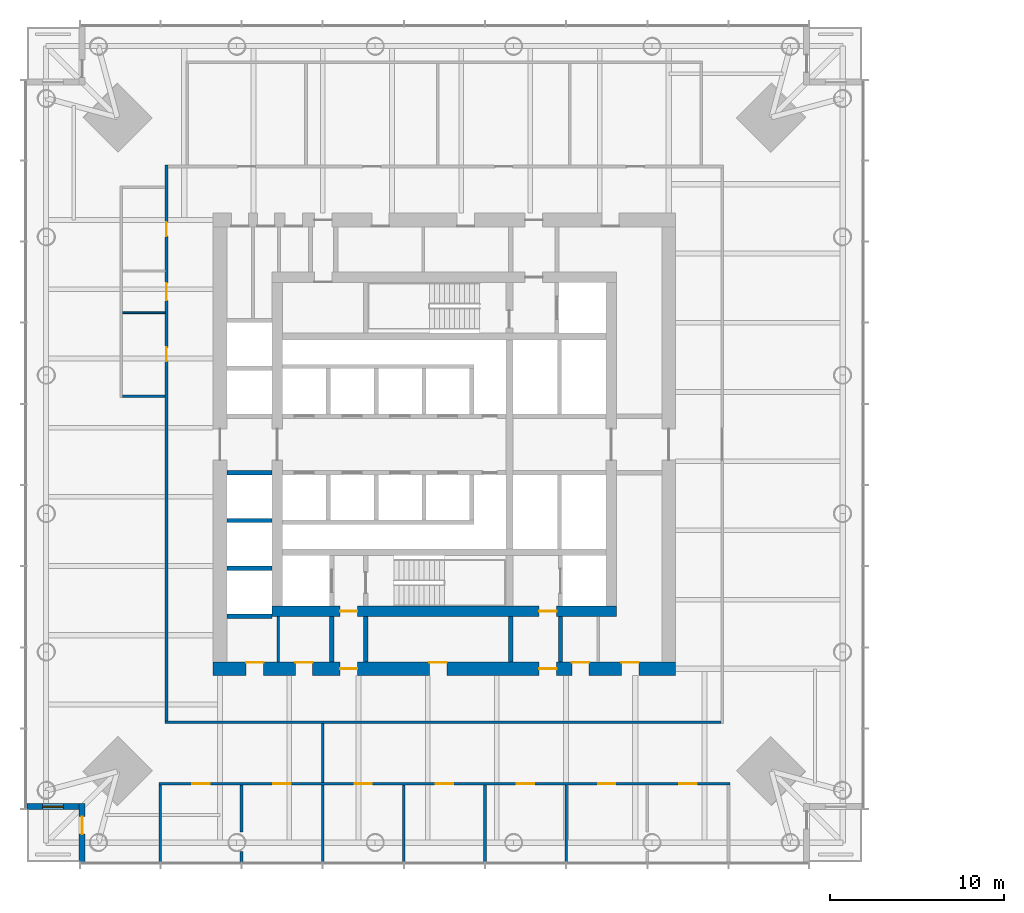
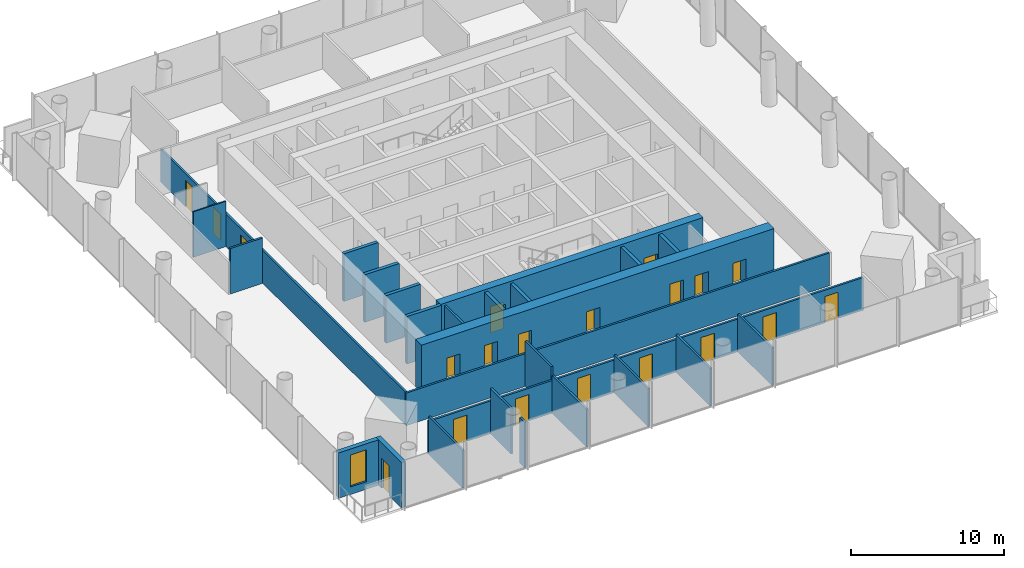
# One storey, part 8 of 18: 26 walls, 20 doors, 1 window, 21 openings.
"""IFC4 building model written with IfcOpenShell, lengths in metres."""

from ifc_helpers import new_model, si_unit, direction, frame, frame_2d, origin, place, context, subcontext, project, spatial, rectangle, extrude, material, layer, layer_set, type_object, element, fill, save


model = new_model("IFC4")

# Units and contexts
model_context = context("Model", 3, precision=1e-05, world=origin(), true_north=direction((0.0, 1.0)))
body_context = subcontext(model_context, "Body", "Model", "MODEL_VIEW")
ifc_project = project(units=[si_unit("LENGTHUNIT", "METRE"), si_unit("AREAUNIT", "SQUARE_METRE"), si_unit("VOLUMEUNIT", "CUBIC_METRE"), si_unit("PLANEANGLEUNIT", "RADIAN"), si_unit("MASSUNIT", "GRAM", prefix="KILO")], contexts=[model_context])

# Site, building, storey
site_placement = place(None, origin())
site = spatial("IfcSite", under=ifc_project, at=site_placement, CompositionType="ELEMENT")
building_placement = place(site_placement, origin())
building = spatial("IfcBuilding", under=site, at=building_placement, Name="Ostroluk Exchange", CompositionType="ELEMENT")
storey_placement = place(building_placement, frame((0.0, 0.0, 55.199951171875)))
storey = spatial("IfcBuildingStorey", under=building, at=storey_placement, Name="L13", CompositionType="ELEMENT", Elevation=55.199951171875)

# Walls
ifc_material_1 = material(Name="Concrete blockwork", Category="masonry")
ifc_layer_1 = layer(ifc_material_1, 0.10009765625)
ifc_layer_set_1 = layer_set([ifc_layer_1], Name="Blockwork WC wall 100")
wall_type_1 = type_object("IfcWallType", Name="Blockwork WC wall 100", PredefinedType="SOLIDWALL", material=ifc_layer_set_1)
wall_1_placement = place(storey_placement, frame((28.949951171875, 53.574951171875, 0.0), z_axis=(0.0, 0.0, 1.0), x_axis=(-1.0, 0.0, 0.0)))
element("IfcWall", 1, at=wall_1_placement, inside=storey, type_object=wall_type_1, Name="Blockwork WC wall", PredefinedType="SOLIDWALL", context=body_context, shape_type="SweptSolid", body=[
    extrude(rectangle(XDim=2.449951171875, YDim=0.10009765625, at=frame_2d((1.22509765625, 0.0))), origin(), (0.0, 0.0, 1.0), 3.6201171875),
])
ifc_material_2 = material(Name="Concrete blockwork", Category="masonry")
ifc_layer_2 = layer(ifc_material_2, 0.14990234375)
ifc_layer_set_2 = layer_set([ifc_layer_2], Name="Blockwork plant room wall 150")
wall_type_2 = type_object("IfcWallType", Name="Blockwork plant room wall 150", PredefinedType="SOLIDWALL", material=ifc_layer_set_2)
wall_2_placement = place(storey_placement, frame((35.449951171875, 33.5, 0.0), z_axis=(0.0, 0.0, 1.0), x_axis=(0.0, 1.0, 0.0)))
element("IfcWall", 2, at=wall_2_placement, inside=storey, type_object=wall_type_2, Name="Core room wall", PredefinedType="SOLIDWALL", context=body_context, shape_type="SweptSolid", body=[
    extrude(rectangle(XDim=2.60009765625, YDim=0.14990234375, at=frame_2d((1.300048828125, 0.0))), origin(), (0.0, 0.0, 1.0), 3.6201171875),
])
ifc_material_3 = material(Name="Concrete blockwork", Category="masonry")
ifc_layer_3 = layer(ifc_material_3, 0.25)
ifc_layer_set_3 = layer_set([ifc_layer_3], Name="Blockwork stair enclosure wall 250")
wall_type_3 = type_object("IfcWallType", Name="Blockwork stair enclosure wall 250", PredefinedType="SOLIDWALL", material=ifc_layer_set_3)
for number, where, z_axis, x_axis, name in (
    (3, (38.52490234375, 33.5, 0.0), (0.0, 0.0, 1.0), (0.0, 1.0, 0.0), "Fire lobby enclosure wall"),
    (4, (40.47509765625, 33.5, 0.0), (0.0, 0.0, 1.0), (0.0, 1.0, 0.0), "Fire lobby enclosure wall"),
    (5, (48.804931640625, 33.5, 0.0), (0.0, 0.0, 1.0), (0.0, 1.0, 0.0), "Service lobby enclosure wall"),
    (6, (51.675048828125, 33.5, 0.0), (0.0, 0.0, 1.0), (0.0, 1.0, 0.0), "Service lobby enclosure wall"),
):
    element("IfcWall", number, at=place(storey_placement, frame(where, z_axis=z_axis, x_axis=x_axis)), inside=storey, type_object=wall_type_3, Name=name, PredefinedType="SOLIDWALL", context=body_context, shape_type="SweptSolid", body=[
        extrude(rectangle(XDim=2.60009765625, YDim=0.25, at=frame_2d((1.300048828125, 0.0))), origin(), (0.0, 0.0, 1.0), 3.6201171875),
    ])
ifc_material_4 = material(Name="Concrete C40/50", Category="concrete")
ifc_layer_4 = layer(ifc_material_4, 0.25)
ifc_layer_set_4 = layer_set([ifc_layer_4], Name="Core shaft wall 250")
wall_type_4 = type_object("IfcWallType", Name="Core shaft wall 250", PredefinedType="SHEAR", material=ifc_layer_set_4)
for number, where, z_axis, x_axis, name in (
    (7, (32.5, 36.125, 0.0), (0.0, 0.0, 1.0), (1.0, 0.0, 0.0), "Lift shaft wall"),
    (8, (32.5, 38.875, 0.0), (0.0, 0.0, 1.0), (1.0, 0.0, 0.0), "Lift shaft wall"),
    (9, (32.5, 41.625, 0.0), (0.0, 0.0, 1.0), (1.0, 0.0, 0.0), "Lift shaft wall"),
    (10, (32.5, 44.375, 0.0), (0.0, 0.0, 1.0), (1.0, 0.0, 0.0), "Lift shaft wall"),
):
    element("IfcWall", number, at=place(storey_placement, frame(where, z_axis=z_axis, x_axis=x_axis)), inside=storey, type_object=wall_type_4, Name=name, PredefinedType="SHEAR", context=body_context, shape_type="SweptSolid", body=[
        extrude(rectangle(XDim=2.60009765625, YDim=0.25, at=frame_2d((1.300048828125, 0.0))), origin(), (0.0, 0.0, 1.0), 3.800048828125),
    ])

# Wall, openings, doors
ifc_material_5 = material(Name="Concrete C50/60", Category="concrete")
ifc_layer_5 = layer(ifc_material_5, 0.60009765625)
ifc_layer_set_5 = layer_set([ifc_layer_5], Name="Core wall 600 C50/60")
wall_type_5 = type_object("IfcWallType", Name="Core wall 600 C50/60", PredefinedType="SHEAR", material=ifc_layer_set_5)
wall_3_placement = place(storey_placement, frame((35.10009765625, 36.39990234375, 0.0), z_axis=(0.0, 0.0, 1.0), x_axis=(1.0, 0.0, 0.0)))
wall_3 = element("IfcWall", 11, at=wall_3_placement, inside=storey, type_object=wall_type_5, Name="T1 core wall S", PredefinedType="SHEAR", context=body_context, shape_type="SweptSolid", body=[
    extrude(rectangle(XDim=19.7998046875, YDim=0.60009765625, at=frame_2d((9.89990234375, 0.0))), origin(), (0.0, 0.0, 1.0), 3.800048828125),
])
opening_1_placement = place(wall_3_placement, frame((3.89990234375, 0.0, 0.0)))
opening_1 = element("IfcOpeningElement", 12, at=opening_1_placement, cuts=wall_3, Name="Opening FD60", PredefinedType="OPENING", context=body_context, shape_type="SweptSolid", body=[
    extrude(rectangle(XDim=1.0, YDim=2.10009765625, at=frame_2d((0.5, 1.050048828125))), frame((0.0, 0.31005859375, 0.0), z_axis=(0.0, -1.0, 0.0), x_axis=(1.0, 0.0, 0.0)), (0.0, 0.0, 1.0), 0.6201171875),
])
opening_2_placement = place(wall_3_placement, frame((15.35009765625, 0.0, 0.0)))
opening_2 = element("IfcOpeningElement", 13, at=opening_2_placement, cuts=wall_3, Name="Opening FD60", PredefinedType="OPENING", context=body_context, shape_type="SweptSolid", body=[
    extrude(rectangle(XDim=1.0, YDim=2.10009765625, at=frame_2d((0.5, 1.050048828125))), frame((0.0, 0.31005859375, 0.0), z_axis=(0.0, -1.0, 0.0), x_axis=(1.0, 0.0, 0.0)), (0.0, 0.0, 1.0), 0.6201171875),
])
ifc_material_6 = material(Name="Steel", Category="steel")
door_type_1 = type_object("IfcDoorType", Name="Fire door EI 60 1000 x 2100", OperationType="SINGLE_SWING_LEFT", PredefinedType="DOOR", material=ifc_material_6)
door_1_placement = place(opening_1_placement, origin())
door_1 = element("IfcDoor", 14, at=door_1_placement, inside=storey, type_object=door_type_1, Name="Firefighting lobby door", OperationType="SINGLE_SWING_LEFT", OverallHeight=2.10009765625, OverallWidth=1.0, PredefinedType="DOOR", context=body_context, shape_type="SweptSolid", body=[
    extrude(rectangle(XDim=1.0, YDim=2.10009765625, at=frame_2d((0.5, 1.050048828125))), frame((0.0, 0.02490234375, 0.0), z_axis=(0.0, -1.0, 0.0), x_axis=(1.0, 0.0, 0.0)), (0.0, 0.0, 1.0), 0.050048828125),
])
fill(opening_1, door_1)
door_2_placement = place(opening_2_placement, origin())
door_2 = element("IfcDoor", 15, at=door_2_placement, inside=storey, type_object=door_type_1, Name="Service lobby door", OperationType="SINGLE_SWING_RIGHT", OverallHeight=2.10009765625, OverallWidth=1.0, PredefinedType="DOOR", context=body_context, shape_type="SweptSolid", body=[
    extrude(rectangle(XDim=1.0, YDim=2.10009765625, at=frame_2d((0.5, 1.050048828125))), frame((0.0, 0.02490234375, 0.0), z_axis=(0.0, -1.0, 0.0), x_axis=(1.0, 0.0, 0.0)), (0.0, 0.0, 1.0), 0.050048828125),
])
fill(opening_2, door_2)

ifc_material_7 = material(Name="Concrete C50/60", Category="concrete")
ifc_layer_6 = layer(ifc_material_7, 0.800048828125)
ifc_layer_set_6 = layer_set([ifc_layer_6], Name="Core wall 800 C50/60")
wall_type_6 = type_object("IfcWallType", Name="Core wall 800 C50/60", PredefinedType="SHEAR", material=ifc_layer_set_6)
wall_4_placement = place(storey_placement, frame((31.699951171875, 33.10009765625, 0.0), z_axis=(0.0, 0.0, 1.0), x_axis=(1.0, 0.0, 0.0)))
wall_4 = element("IfcWall", 16, at=wall_4_placement, inside=storey, type_object=wall_type_6, Name="T1 core wall RS", PredefinedType="SHEAR", context=body_context, shape_type="SweptSolid", body=[
    extrude(rectangle(XDim=26.60009765625, YDim=0.800048828125, at=frame_2d((13.300048828125, 0.0))), origin(), (0.0, 0.0, 1.0), 3.800048828125),
])
opening_3_placement = place(wall_4_placement, frame((7.300048828125, 0.0, 0.0)))
opening_3 = element("IfcOpeningElement", 17, at=opening_3_placement, cuts=wall_4, Name="Opening FD60", PredefinedType="OPENING", context=body_context, shape_type="SweptSolid", body=[
    extrude(rectangle(XDim=1.0, YDim=2.10009765625, at=frame_2d((0.5, 1.050048828125))), frame((0.0, 0.409912109375, 0.0), z_axis=(0.0, -1.0, 0.0), x_axis=(1.0, 0.0, 0.0)), (0.0, 0.0, 1.0), 0.820068359375),
])
opening_4_placement = place(wall_4_placement, frame((18.75, 0.0, 0.0)))
opening_4 = element("IfcOpeningElement", 18, at=opening_4_placement, cuts=wall_4, Name="Opening FD60", PredefinedType="OPENING", context=body_context, shape_type="SweptSolid", body=[
    extrude(rectangle(XDim=1.0, YDim=2.10009765625, at=frame_2d((0.5, 1.050048828125))), frame((0.0, 0.409912109375, 0.0), z_axis=(0.0, -1.0, 0.0), x_axis=(1.0, 0.0, 0.0)), (0.0, 0.0, 1.0), 0.820068359375),
])
opening_5_placement = place(wall_4_placement, frame((1.89990234375, 0.0, 0.0)))
opening_5 = element("IfcOpeningElement", 19, at=opening_5_placement, cuts=wall_4, Name="Opening FD60", PredefinedType="OPENING", context=body_context, shape_type="SweptSolid", body=[
    extrude(rectangle(XDim=1.0, YDim=2.10009765625, at=frame_2d((0.5, 1.050048828125))), frame((0.0, 0.409912109375, 0.0), z_axis=(0.0, -1.0, 0.0), x_axis=(1.0, 0.0, 0.0)), (0.0, 0.0, 1.0), 0.820068359375),
])
opening_6_placement = place(wall_4_placement, frame((4.72509765625, 0.0, 0.0)))
opening_6 = element("IfcOpeningElement", 20, at=opening_6_placement, cuts=wall_4, Name="Opening FD60", PredefinedType="OPENING", context=body_context, shape_type="SweptSolid", body=[
    extrude(rectangle(XDim=1.0, YDim=2.10009765625, at=frame_2d((0.5, 1.050048828125))), frame((0.0, 0.409912109375, 0.0), z_axis=(0.0, -1.0, 0.0), x_axis=(1.0, 0.0, 0.0)), (0.0, 0.0, 1.0), 0.820068359375),
])
opening_7_placement = place(wall_4_placement, frame((12.43994140625, 0.0, 0.0)))
opening_7 = element("IfcOpeningElement", 21, at=opening_7_placement, cuts=wall_4, Name="Opening FD60", PredefinedType="OPENING", context=body_context, shape_type="SweptSolid", body=[
    extrude(rectangle(XDim=1.0, YDim=2.10009765625, at=frame_2d((0.5, 1.050048828125))), frame((0.0, 0.409912109375, 0.0), z_axis=(0.0, -1.0, 0.0), x_axis=(1.0, 0.0, 0.0)), (0.0, 0.0, 1.0), 0.820068359375),
])
opening_8_placement = place(wall_4_placement, frame((20.6259765625, 0.0, 0.0)))
opening_8 = element("IfcOpeningElement", 22, at=opening_8_placement, cuts=wall_4, Name="Opening FD60", PredefinedType="OPENING", context=body_context, shape_type="SweptSolid", body=[
    extrude(rectangle(XDim=1.0, YDim=2.10009765625, at=frame_2d((0.5, 1.050048828125))), frame((0.0, 0.409912109375, 0.0), z_axis=(0.0, -1.0, 0.0), x_axis=(1.0, 0.0, 0.0)), (0.0, 0.0, 1.0), 0.820068359375),
])
opening_9_placement = place(wall_4_placement, frame((23.47607421875, 0.0, 0.0)))
opening_9 = element("IfcOpeningElement", 23, at=opening_9_placement, cuts=wall_4, Name="Opening FD60", PredefinedType="OPENING", context=body_context, shape_type="SweptSolid", body=[
    extrude(rectangle(XDim=1.0, YDim=2.10009765625, at=frame_2d((0.5, 1.050048828125))), frame((0.0, 0.409912109375, 0.0), z_axis=(0.0, -1.0, 0.0), x_axis=(1.0, 0.0, 0.0)), (0.0, 0.0, 1.0), 0.820068359375),
])
door_3_placement = place(opening_3_placement, origin())
door_3 = element("IfcDoor", 24, at=door_3_placement, inside=storey, type_object=door_type_1, Name="Firefighting lobby door", OperationType="SINGLE_SWING_LEFT", OverallHeight=2.10009765625, OverallWidth=1.0, PredefinedType="DOOR", context=body_context, shape_type="SweptSolid", body=[
    extrude(rectangle(XDim=1.0, YDim=2.10009765625, at=frame_2d((0.5, 1.050048828125))), frame((0.0, 0.02490234375, 0.0), z_axis=(0.0, -1.0, 0.0), x_axis=(1.0, 0.0, 0.0)), (0.0, 0.0, 1.0), 0.050048828125),
])
fill(opening_3, door_3)
door_4_placement = place(opening_4_placement, origin())
door_4 = element("IfcDoor", 25, at=door_4_placement, inside=storey, type_object=door_type_1, Name="Service lobby door", OperationType="SINGLE_SWING_RIGHT", OverallHeight=2.10009765625, OverallWidth=1.0, PredefinedType="DOOR", context=body_context, shape_type="SweptSolid", body=[
    extrude(rectangle(XDim=1.0, YDim=2.10009765625, at=frame_2d((0.5, 1.050048828125))), frame((0.0, 0.02490234375, 0.0), z_axis=(0.0, -1.0, 0.0), x_axis=(1.0, 0.0, 0.0)), (0.0, 0.0, 1.0), 0.050048828125),
])
fill(opening_4, door_4)
door_5_placement = place(opening_5_placement, origin())
door_5 = element("IfcDoor", 26, at=door_5_placement, inside=storey, type_object=door_type_1, Name="Archive door", OperationType="SINGLE_SWING_LEFT", OverallHeight=2.10009765625, OverallWidth=1.0, PredefinedType="DOOR", context=body_context, shape_type="SweptSolid", body=[
    extrude(rectangle(XDim=1.0, YDim=2.10009765625, at=frame_2d((0.5, 1.050048828125))), frame((0.0, 0.39013671875, 0.0), z_axis=(0.0, -1.0, 0.0), x_axis=(1.0, 0.0, 0.0)), (0.0, 0.0, 1.0), 0.050048828125),
])
fill(opening_5, door_5)
door_6_placement = place(opening_6_placement, origin())
door_6 = element("IfcDoor", 27, at=door_6_placement, inside=storey, type_object=door_type_1, Name="Tenant IT room door", OperationType="SINGLE_SWING_LEFT", OverallHeight=2.10009765625, OverallWidth=1.0, PredefinedType="DOOR", context=body_context, shape_type="SweptSolid", body=[
    extrude(rectangle(XDim=1.0, YDim=2.10009765625, at=frame_2d((0.5, 1.050048828125))), frame((0.0, 0.39013671875, 0.0), z_axis=(0.0, -1.0, 0.0), x_axis=(1.0, 0.0, 0.0)), (0.0, 0.0, 1.0), 0.050048828125),
])
fill(opening_6, door_6)
door_7_placement = place(opening_7_placement, origin())
door_7 = element("IfcDoor", 28, at=door_7_placement, inside=storey, type_object=door_type_1, Name="Tea point door", OperationType="SINGLE_SWING_LEFT", OverallHeight=2.10009765625, OverallWidth=1.0, PredefinedType="DOOR", context=body_context, shape_type="SweptSolid", body=[
    extrude(rectangle(XDim=1.0, YDim=2.10009765625, at=frame_2d((0.5, 1.050048828125))), frame((0.0, 0.39013671875, 0.0), z_axis=(0.0, -1.0, 0.0), x_axis=(1.0, 0.0, 0.0)), (0.0, 0.0, 1.0), 0.050048828125),
])
fill(opening_7, door_7)
door_8_placement = place(opening_8_placement, origin())
door_8 = element("IfcDoor", 29, at=door_8_placement, inside=storey, type_object=door_type_1, Name="Comms room door", OperationType="SINGLE_SWING_RIGHT", OverallHeight=2.10009765625, OverallWidth=1.0, PredefinedType="DOOR", context=body_context, shape_type="SweptSolid", body=[
    extrude(rectangle(XDim=1.0, YDim=2.10009765625, at=frame_2d((0.5, 1.050048828125))), frame((0.0, 0.39013671875, 0.0), z_axis=(0.0, -1.0, 0.0), x_axis=(1.0, 0.0, 0.0)), (0.0, 0.0, 1.0), 0.050048828125),
])
fill(opening_8, door_8)
door_9_placement = place(opening_9_placement, origin())
door_9 = element("IfcDoor", 30, at=door_9_placement, inside=storey, type_object=door_type_1, Name="First aid room door", OperationType="SINGLE_SWING_RIGHT", OverallHeight=2.10009765625, OverallWidth=1.0, PredefinedType="DOOR", context=body_context, shape_type="SweptSolid", body=[
    extrude(rectangle(XDim=1.0, YDim=2.10009765625, at=frame_2d((0.5, 1.050048828125))), frame((0.0, 0.39013671875, 0.0), z_axis=(0.0, -1.0, 0.0), x_axis=(1.0, 0.0, 0.0)), (0.0, 0.0, 1.0), 0.050048828125),
])
fill(opening_9, door_9)

# Wall, opening, door
ifc_material_8 = material(Name="Limestone", Category="masonry")
ifc_layer_7 = layer(ifc_material_8, 0.35009765625)
ifc_layer_set_7 = layer_set([ifc_layer_7], Name="Limestone facade wall 350")
wall_type_7 = type_object("IfcWallType", Name="Limestone facade wall 350", PredefinedType="SOLIDWALL", material=ifc_layer_set_7)
wall_5_placement = place(storey_placement, frame((24.175048828125, 22.0, 0.0), z_axis=(0.0, 0.0, 1.0), x_axis=(0.0, 1.0, 0.0)))
wall_5 = element("IfcWall", 31, at=wall_5_placement, inside=storey, type_object=wall_type_7, Name="Office tower SW corner wall L13 a", PredefinedType="SOLIDWALL", context=body_context, shape_type="SweptSolid", body=[
    extrude(rectangle(XDim=3.35009765625, YDim=0.35009765625, at=frame_2d((1.675048828125, 0.0))), origin(), (0.0, 0.0, 1.0), 3.6201171875),
])
opening_10_placement = place(wall_5_placement, frame((1.60009765625, 0.0, 0.0)))
opening_10 = element("IfcOpeningElement", 32, at=opening_10_placement, cuts=wall_5, Name="Opening D-B1", PredefinedType="OPENING", context=body_context, shape_type="SweptSolid", body=[
    extrude(rectangle(XDim=1.0, YDim=2.39990234375, at=frame_2d((0.5, 1.199951171875))), frame((0.0, 0.18505859375, 0.0), z_axis=(0.0, -1.0, 0.0), x_axis=(1.0, 0.0, 0.0)), (0.0, 0.0, 1.0), 0.3701171875),
])
ifc_material_9 = material(Name="Bronze framed glazed door", Category="aluminium")
door_type_2 = type_object("IfcDoorType", Name="Balcony door 1000 x 2400", OperationType="SINGLE_SWING_LEFT", PredefinedType="DOOR", material=ifc_material_9)
door_10_placement = place(opening_10_placement, origin())
door_10 = element("IfcDoor", 33, at=door_10_placement, inside=storey, type_object=door_type_2, Name="Office tower SW balcony door L13", OperationType="SINGLE_SWING_RIGHT", OverallHeight=2.39990234375, OverallWidth=1.0, PredefinedType="DOOR", context=body_context, shape_type="SweptSolid", body=[
    extrude(rectangle(XDim=1.0, YDim=2.39990234375, at=frame_2d((0.5, 1.199951171875))), frame((0.0, 0.02490234375, 0.0), z_axis=(0.0, -1.0, 0.0), x_axis=(1.0, 0.0, 0.0)), (0.0, 0.0, 1.0), 0.050048828125),
])
fill(opening_10, door_10)

# Wall, opening, window
wall_6_placement = place(storey_placement, frame((24.0, 25.175048828125, 0.0), z_axis=(0.0, 0.0, 1.0), x_axis=(-1.0, 0.0, 0.0)))
wall_6 = element("IfcWall", 34, at=wall_6_placement, inside=storey, type_object=wall_type_7, Name="Office tower SW corner wall L13 b", PredefinedType="SOLIDWALL", context=body_context, shape_type="SweptSolid", body=[
    extrude(rectangle(XDim=3.0, YDim=0.35009765625, at=frame_2d((1.5, 0.0))), origin(), (0.0, 0.0, 1.0), 3.6201171875),
])
opening_11_placement = place(wall_6_placement, frame((0.89990234375, 0.0, 0.60009765625)))
opening_11 = element("IfcOpeningElement", 35, at=opening_11_placement, cuts=wall_6, Name="Opening WN-L1", PredefinedType="OPENING", context=body_context, shape_type="SweptSolid", body=[
    extrude(rectangle(XDim=1.199951171875, YDim=2.550048828125, at=frame_2d((0.60009765625, 1.27490234375))), frame((0.0, 0.18505859375, 0.0), z_axis=(0.0, -1.0, 0.0), x_axis=(1.0, 0.0, 0.0)), (0.0, 0.0, 1.0), 0.3701171875),
])
ifc_material_10 = material(Name="Laminated clear glass", Category="glass")
window_type = type_object("IfcWindowType", Name="Lancet window 1200 x 2550", PartitioningType="SINGLE_PANEL", PredefinedType="WINDOW", material=ifc_material_10)
window_placement = place(opening_11_placement, origin())
window = element("IfcWindow", 36, at=window_placement, inside=storey, type_object=window_type, Name="Office tower SW lancet window L13", OverallHeight=2.550048828125, OverallWidth=1.199951171875, PartitioningType="SINGLE_PANEL", PredefinedType="WINDOW", context=body_context, shape_type="SweptSolid", body=[
    extrude(rectangle(XDim=1.199951171875, YDim=2.550048828125, at=frame_2d((0.60009765625, 1.27490234375))), frame((0.0, 0.030029296875, 0.0), z_axis=(0.0, -1.0, 0.0), x_axis=(1.0, 0.0, 0.0)), (0.0, 0.0, 1.0), 0.06005859375),
])
fill(opening_11, window)

# Wall, openings, doors
ifc_material_11 = material(Name="Gypsum plasterboard partition", Category="gypsum")
ifc_layer_8 = layer(ifc_material_11, 0.14990234375)
ifc_layer_set_8 = layer_set([ifc_layer_8], Name="Plasterboard partition 150")
wall_type_8 = type_object("IfcWallType", Name="Plasterboard partition 150", PredefinedType="PARTITIONING", material=ifc_layer_set_8)
wall_7_placement = place(storey_placement, frame((28.591552734375, 26.5, 0.0), z_axis=(0.0, 0.0, 1.0), x_axis=(1.0, 0.0, 0.0)))
wall_7 = element("IfcWall", 37, at=wall_7_placement, inside=storey, type_object=wall_type_8, Name="Partition", PredefinedType="PARTITIONING", context=body_context, shape_type="SweptSolid", body=[
    extrude(rectangle(XDim=32.81689453125, YDim=0.14990234375, at=frame_2d((16.408447265625, 0.0))), origin(), (0.0, 0.0, 1.0), 2.612060546875),
])
opening_12_placement = place(wall_7_placement, frame((1.908447265625, 0.0, 0.0)))
opening_12 = element("IfcOpeningElement", 38, at=opening_12_placement, cuts=wall_7, Name="Opening D-03", PredefinedType="OPENING", context=body_context, shape_type="SweptSolid", body=[
    extrude(rectangle(XDim=1.0, YDim=2.10009765625, at=frame_2d((0.5, 1.050048828125))), frame((0.0, 0.0849609375, 0.0), z_axis=(0.0, -1.0, 0.0), x_axis=(1.0, 0.0, 0.0)), (0.0, 0.0, 1.0), 0.169921875),
])
opening_13_placement = place(wall_7_placement, frame((6.574951171875, 0.0, 0.0)))
opening_13 = element("IfcOpeningElement", 39, at=opening_13_placement, cuts=wall_7, Name="Opening D-03", PredefinedType="OPENING", context=body_context, shape_type="SweptSolid", body=[
    extrude(rectangle(XDim=1.0, YDim=2.10009765625, at=frame_2d((0.5, 1.050048828125))), frame((0.0, 0.0849609375, 0.0), z_axis=(0.0, -1.0, 0.0), x_axis=(1.0, 0.0, 0.0)), (0.0, 0.0, 1.0), 0.169921875),
])
opening_14_placement = place(wall_7_placement, frame((11.24169921875, 0.0, 0.0)))
opening_14 = element("IfcOpeningElement", 40, at=opening_14_placement, cuts=wall_7, Name="Opening D-03", PredefinedType="OPENING", context=body_context, shape_type="SweptSolid", body=[
    extrude(rectangle(XDim=1.0, YDim=2.10009765625, at=frame_2d((0.5, 1.050048828125))), frame((0.0, 0.0849609375, 0.0), z_axis=(0.0, -1.0, 0.0), x_axis=(1.0, 0.0, 0.0)), (0.0, 0.0, 1.0), 0.169921875),
])
opening_15_placement = place(wall_7_placement, frame((15.908447265625, 0.0, 0.0)))
opening_15 = element("IfcOpeningElement", 41, at=opening_15_placement, cuts=wall_7, Name="Opening D-03", PredefinedType="OPENING", context=body_context, shape_type="SweptSolid", body=[
    extrude(rectangle(XDim=1.0, YDim=2.10009765625, at=frame_2d((0.5, 1.050048828125))), frame((0.0, 0.0849609375, 0.0), z_axis=(0.0, -1.0, 0.0), x_axis=(1.0, 0.0, 0.0)), (0.0, 0.0, 1.0), 0.169921875),
])
opening_16_placement = place(wall_7_placement, frame((20.574951171875, 0.0, 0.0)))
opening_16 = element("IfcOpeningElement", 42, at=opening_16_placement, cuts=wall_7, Name="Opening D-03", PredefinedType="OPENING", context=body_context, shape_type="SweptSolid", body=[
    extrude(rectangle(XDim=1.0, YDim=2.10009765625, at=frame_2d((0.5, 1.050048828125))), frame((0.0, 0.0849609375, 0.0), z_axis=(0.0, -1.0, 0.0), x_axis=(1.0, 0.0, 0.0)), (0.0, 0.0, 1.0), 0.169921875),
])
opening_17_placement = place(wall_7_placement, frame((25.24169921875, 0.0, 0.0)))
opening_17 = element("IfcOpeningElement", 43, at=opening_17_placement, cuts=wall_7, Name="Opening D-03", PredefinedType="OPENING", context=body_context, shape_type="SweptSolid", body=[
    extrude(rectangle(XDim=1.0, YDim=2.10009765625, at=frame_2d((0.5, 1.050048828125))), frame((0.0, 0.0849609375, 0.0), z_axis=(0.0, -1.0, 0.0), x_axis=(1.0, 0.0, 0.0)), (0.0, 0.0, 1.0), 0.169921875),
])
opening_18_placement = place(wall_7_placement, frame((29.908447265625, 0.0, 0.0)))
opening_18 = element("IfcOpeningElement", 44, at=opening_18_placement, cuts=wall_7, Name="Opening D-03", PredefinedType="OPENING", context=body_context, shape_type="SweptSolid", body=[
    extrude(rectangle(XDim=1.0, YDim=2.10009765625, at=frame_2d((0.5, 1.050048828125))), frame((0.0, 0.0849609375, 0.0), z_axis=(0.0, -1.0, 0.0), x_axis=(1.0, 0.0, 0.0)), (0.0, 0.0, 1.0), 0.169921875),
])
ifc_material_12 = material(Name="Timber", Category="wood")
door_type_3 = type_object("IfcDoorType", Name="Internal door 1000 x 2100", OperationType="SINGLE_SWING_LEFT", PredefinedType="DOOR", material=ifc_material_12)
door_11_placement = place(opening_12_placement, origin())
door_11 = element("IfcDoor", 45, at=door_11_placement, inside=storey, type_object=door_type_3, Name="Office door", OperationType="SINGLE_SWING_LEFT", OverallHeight=2.10009765625, OverallWidth=1.0, PredefinedType="DOOR", context=body_context, shape_type="SweptSolid", body=[
    extrude(rectangle(XDim=1.0, YDim=2.10009765625, at=frame_2d((0.5, 1.050048828125))), frame((0.0, 0.02490234375, 0.0), z_axis=(0.0, -1.0, 0.0), x_axis=(1.0, 0.0, 0.0)), (0.0, 0.0, 1.0), 0.050048828125),
])
fill(opening_12, door_11)
door_12_placement = place(opening_13_placement, origin())
door_12 = element("IfcDoor", 46, at=door_12_placement, inside=storey, type_object=door_type_3, Name="Office door", OperationType="SINGLE_SWING_LEFT", OverallHeight=2.10009765625, OverallWidth=1.0, PredefinedType="DOOR", context=body_context, shape_type="SweptSolid", body=[
    extrude(rectangle(XDim=1.0, YDim=2.10009765625, at=frame_2d((0.5, 1.050048828125))), frame((0.0, 0.02490234375, 0.0), z_axis=(0.0, -1.0, 0.0), x_axis=(1.0, 0.0, 0.0)), (0.0, 0.0, 1.0), 0.050048828125),
])
fill(opening_13, door_12)
door_13_placement = place(opening_14_placement, origin())
door_13 = element("IfcDoor", 47, at=door_13_placement, inside=storey, type_object=door_type_3, Name="Office door", OperationType="SINGLE_SWING_LEFT", OverallHeight=2.10009765625, OverallWidth=1.0, PredefinedType="DOOR", context=body_context, shape_type="SweptSolid", body=[
    extrude(rectangle(XDim=1.0, YDim=2.10009765625, at=frame_2d((0.5, 1.050048828125))), frame((0.0, 0.02490234375, 0.0), z_axis=(0.0, -1.0, 0.0), x_axis=(1.0, 0.0, 0.0)), (0.0, 0.0, 1.0), 0.050048828125),
])
fill(opening_14, door_13)
door_14_placement = place(opening_15_placement, origin())
door_14 = element("IfcDoor", 48, at=door_14_placement, inside=storey, type_object=door_type_3, Name="Office door", OperationType="SINGLE_SWING_RIGHT", OverallHeight=2.10009765625, OverallWidth=1.0, PredefinedType="DOOR", context=body_context, shape_type="SweptSolid", body=[
    extrude(rectangle(XDim=1.0, YDim=2.10009765625, at=frame_2d((0.5, 1.050048828125))), frame((0.0, 0.02490234375, 0.0), z_axis=(0.0, -1.0, 0.0), x_axis=(1.0, 0.0, 0.0)), (0.0, 0.0, 1.0), 0.050048828125),
])
fill(opening_15, door_14)
door_15_placement = place(opening_16_placement, origin())
door_15 = element("IfcDoor", 49, at=door_15_placement, inside=storey, type_object=door_type_3, Name="Office door", OperationType="SINGLE_SWING_RIGHT", OverallHeight=2.10009765625, OverallWidth=1.0, PredefinedType="DOOR", context=body_context, shape_type="SweptSolid", body=[
    extrude(rectangle(XDim=1.0, YDim=2.10009765625, at=frame_2d((0.5, 1.050048828125))), frame((0.0, 0.02490234375, 0.0), z_axis=(0.0, -1.0, 0.0), x_axis=(1.0, 0.0, 0.0)), (0.0, 0.0, 1.0), 0.050048828125),
])
fill(opening_16, door_15)
door_16_placement = place(opening_17_placement, origin())
door_16 = element("IfcDoor", 50, at=door_16_placement, inside=storey, type_object=door_type_3, Name="Office door", OperationType="SINGLE_SWING_RIGHT", OverallHeight=2.10009765625, OverallWidth=1.0, PredefinedType="DOOR", context=body_context, shape_type="SweptSolid", body=[
    extrude(rectangle(XDim=1.0, YDim=2.10009765625, at=frame_2d((0.5, 1.050048828125))), frame((0.0, 0.02490234375, 0.0), z_axis=(0.0, -1.0, 0.0), x_axis=(1.0, 0.0, 0.0)), (0.0, 0.0, 1.0), 0.050048828125),
])
fill(opening_17, door_16)
door_17_placement = place(opening_18_placement, origin())
door_17 = element("IfcDoor", 51, at=door_17_placement, inside=storey, type_object=door_type_3, Name="Office door", OperationType="SINGLE_SWING_RIGHT", OverallHeight=2.10009765625, OverallWidth=1.0, PredefinedType="DOOR", context=body_context, shape_type="SweptSolid", body=[
    extrude(rectangle(XDim=1.0, YDim=2.10009765625, at=frame_2d((0.5, 1.050048828125))), frame((0.0, 0.02490234375, 0.0), z_axis=(0.0, -1.0, 0.0), x_axis=(1.0, 0.0, 0.0)), (0.0, 0.0, 1.0), 0.050048828125),
])
fill(opening_18, door_17)

# Walls
wall_8_placement = place(storey_placement, frame((28.666748046875, 26.425048828125, 0.0), z_axis=(0.0, 0.0, 1.0), x_axis=(0.0, -1.0, 0.0)))
element("IfcWall", 52, at=wall_8_placement, inside=storey, type_object=wall_type_8, Name="Partition", PredefinedType="PARTITIONING", context=body_context, shape_type="SweptSolid", body=[
    extrude(rectangle(XDim=4.465087890625, YDim=0.14990234375, at=frame_2d((2.232421875, 0.0))), origin(), (0.0, 0.0, 1.0), 3.02001953125),
])
wall_9_placement = place(storey_placement, frame((33.333251953125, 26.425048828125, 0.0), z_axis=(0.0, 0.0, 1.0), x_axis=(0.0, -1.0, 0.0)))
element("IfcWall", 53, at=wall_9_placement, inside=storey, type_object=wall_type_8, Name="Partition", PredefinedType="PARTITIONING", context=body_context, shape_type="SweptSolid", body=[
    extrude(rectangle(XDim=2.702880859375, YDim=0.14990234375, at=frame_2d((1.3515625, 0.0))), origin(), (0.0, 0.0, 1.0), 3.6201171875),
])
wall_10_placement = place(storey_placement, frame((33.333251953125, 22.5849609375, 0.0), z_axis=(0.0, 0.0, 1.0), x_axis=(0.0, -1.0, 0.0)))
element("IfcWall", 54, at=wall_10_placement, inside=storey, type_object=wall_type_8, Name="Partition", PredefinedType="PARTITIONING", context=body_context, shape_type="SweptSolid", body=[
    extrude(rectangle(XDim=0.625, YDim=0.14990234375, at=frame_2d((0.3125, 0.0))), origin(), (0.0, 0.0, 1.0), 3.6201171875),
])
for number, where, z_axis, x_axis, name in (
    (55, (38.0, 26.425048828125, 0.0), (0.0, 0.0, 1.0), (0.0, -1.0, 0.0), "Partition"),
    (56, (42.666748046875, 26.425048828125, 0.0), (0.0, 0.0, 1.0), (0.0, -1.0, 0.0), "Partition"),
    (57, (47.333251953125, 26.425048828125, 0.0), (0.0, 0.0, 1.0), (0.0, -1.0, 0.0), "Partition"),
    (58, (52.0, 26.425048828125, 0.0), (0.0, 0.0, 1.0), (0.0, -1.0, 0.0), "Partition"),
):
    element("IfcWall", number, at=place(storey_placement, frame(where, z_axis=z_axis, x_axis=x_axis)), inside=storey, type_object=wall_type_8, Name=name, PredefinedType="PARTITIONING", context=body_context, shape_type="SweptSolid", body=[
        extrude(rectangle(XDim=4.465087890625, YDim=0.14990234375, at=frame_2d((2.232421875, 0.0))), origin(), (0.0, 0.0, 1.0), 3.02001953125),
    ])
wall_11_placement = place(storey_placement, frame((38.0, 29.949951171875, 0.0), z_axis=(0.0, 0.0, 1.0), x_axis=(0.0, -1.0, 0.0)))
element("IfcWall", 59, at=wall_11_placement, inside=storey, type_object=wall_type_8, Name="Tenancy partition", PredefinedType="PARTITIONING", context=body_context, shape_type="SweptSolid", body=[
    extrude(rectangle(XDim=3.375, YDim=0.14990234375, at=frame_2d((1.6875, 0.0))), origin(), (0.0, 0.0, 1.0), 3.6201171875),
])

# Wall, openings, doors
wall_12_placement = place(storey_placement, frame((29.02490234375, 62.050048828125, 0.0), z_axis=(0.0, 0.0, 1.0), x_axis=(0.0, -1.0, 0.0)))
wall_12 = element("IfcWall", 60, at=wall_12_placement, inside=storey, type_object=wall_type_8, Name="Corridor wall", PredefinedType="PARTITIONING", context=body_context, shape_type="SweptSolid", body=[
    extrude(rectangle(XDim=31.949951171875, YDim=0.14990234375, at=frame_2d((15.97509765625, 0.0))), origin(), (0.0, 0.0, 1.0), 2.612060546875),
])
opening_19_placement = place(wall_12_placement, frame((3.27490234375, 0.0, 0.0)))
opening_19 = element("IfcOpeningElement", 61, at=opening_19_placement, cuts=wall_12, Name="Opening D-06", PredefinedType="OPENING", context=body_context, shape_type="SweptSolid", body=[
    extrude(rectangle(XDim=0.800048828125, YDim=2.10009765625, at=frame_2d((0.39990234375, 1.050048828125))), frame((0.0, 0.0849609375, 0.0), z_axis=(0.0, -1.0, 0.0), x_axis=(1.0, 0.0, 0.0)), (0.0, 0.0, 1.0), 0.169921875),
])
opening_20_placement = place(wall_12_placement, frame((6.77490234375, 0.0, 0.0)))
opening_20 = element("IfcOpeningElement", 62, at=opening_20_placement, cuts=wall_12, Name="Opening D-03", PredefinedType="OPENING", context=body_context, shape_type="SweptSolid", body=[
    extrude(rectangle(XDim=1.0, YDim=2.10009765625, at=frame_2d((0.5, 1.050048828125))), frame((0.0, 0.0849609375, 0.0), z_axis=(0.0, -1.0, 0.0), x_axis=(1.0, 0.0, 0.0)), (0.0, 0.0, 1.0), 0.169921875),
])
opening_21_placement = place(wall_12_placement, frame((10.47509765625, 0.0, 0.0)))
opening_21 = element("IfcOpeningElement", 63, at=opening_21_placement, cuts=wall_12, Name="Opening D-06", PredefinedType="OPENING", context=body_context, shape_type="SweptSolid", body=[
    extrude(rectangle(XDim=0.800048828125, YDim=2.10009765625, at=frame_2d((0.39990234375, 1.050048828125))), frame((0.0, 0.0849609375, 0.0), z_axis=(0.0, -1.0, 0.0), x_axis=(1.0, 0.0, 0.0)), (0.0, 0.0, 1.0), 0.169921875),
])
door_18_placement = place(opening_20_placement, origin())
door_18 = element("IfcDoor", 64, at=door_18_placement, inside=storey, type_object=door_type_3, Name="Accessible WC door", OperationType="SINGLE_SWING_LEFT", OverallHeight=2.10009765625, OverallWidth=1.0, PredefinedType="DOOR", context=body_context, shape_type="SweptSolid", body=[
    extrude(rectangle(XDim=1.0, YDim=2.10009765625, at=frame_2d((0.5, 1.050048828125))), frame((0.0, 0.02490234375, 0.0), z_axis=(0.0, -1.0, 0.0), x_axis=(1.0, 0.0, 0.0)), (0.0, 0.0, 1.0), 0.050048828125),
])
fill(opening_20, door_18)
ifc_material_13 = material(Name="Timber", Category="wood")
door_type_4 = type_object("IfcDoorType", Name="Toilet door 800 x 2100", OperationType="SINGLE_SWING_LEFT", PredefinedType="DOOR", material=ifc_material_13)
door_19_placement = place(opening_19_placement, origin())
door_19 = element("IfcDoor", 65, at=door_19_placement, inside=storey, type_object=door_type_4, Name="WC female door", OperationType="SINGLE_SWING_LEFT", OverallHeight=2.10009765625, OverallWidth=0.800048828125, PredefinedType="DOOR", context=body_context, shape_type="SweptSolid", body=[
    extrude(rectangle(XDim=0.800048828125, YDim=2.10009765625, at=frame_2d((0.39990234375, 1.050048828125))), frame((0.0, 0.02490234375, 0.0), z_axis=(0.0, -1.0, 0.0), x_axis=(1.0, 0.0, 0.0)), (0.0, 0.0, 1.0), 0.050048828125),
])
fill(opening_19, door_19)
door_20_placement = place(opening_21_placement, origin())
door_20 = element("IfcDoor", 66, at=door_20_placement, inside=storey, type_object=door_type_4, Name="WC male door", OperationType="SINGLE_SWING_LEFT", OverallHeight=2.10009765625, OverallWidth=0.800048828125, PredefinedType="DOOR", context=body_context, shape_type="SweptSolid", body=[
    extrude(rectangle(XDim=0.800048828125, YDim=2.10009765625, at=frame_2d((0.39990234375, 1.050048828125))), frame((0.0, 0.02490234375, 0.0), z_axis=(0.0, -1.0, 0.0), x_axis=(1.0, 0.0, 0.0)), (0.0, 0.0, 1.0), 0.050048828125),
])
fill(opening_21, door_20)

# Walls
wall_13_placement = place(storey_placement, frame((28.949951171875, 30.02490234375, 0.0), z_axis=(0.0, 0.0, 1.0), x_axis=(1.0, 0.0, 0.0)))
element("IfcWall", 67, at=wall_13_placement, inside=storey, type_object=wall_type_8, Name="Corridor wall", PredefinedType="PARTITIONING", context=body_context, shape_type="SweptSolid", body=[
    extrude(rectangle(XDim=31.949951171875, YDim=0.14990234375, at=frame_2d((15.97509765625, 0.0))), origin(), (0.0, 0.0, 1.0), 2.612060546875),
])
ifc_material_14 = material(Name="Gypsum plasterboard partition, moisture resistant", Category="gypsum")
ifc_layer_9 = layer(ifc_material_14, 0.14990234375)
ifc_layer_set_9 = layer_set([ifc_layer_9], Name="Plasterboard toilet partition 150")
wall_type_9 = type_object("IfcWallType", Name="Plasterboard toilet partition 150", PredefinedType="PARTITIONING", material=ifc_layer_set_9)
wall_14_placement = place(storey_placement, frame((28.949951171875, 48.77490234375, 0.0), z_axis=(0.0, 0.0, 1.0), x_axis=(-1.0, 0.0, 0.0)))
element("IfcWall", 68, at=wall_14_placement, inside=storey, type_object=wall_type_9, Name="Toilet partition", PredefinedType="PARTITIONING", context=body_context, shape_type="SweptSolid", body=[
    extrude(rectangle(XDim=2.449951171875, YDim=0.14990234375, at=frame_2d((1.22509765625, 0.0))), origin(), (0.0, 0.0, 1.0), 3.6201171875),
])

save(model, "model.ifc")
